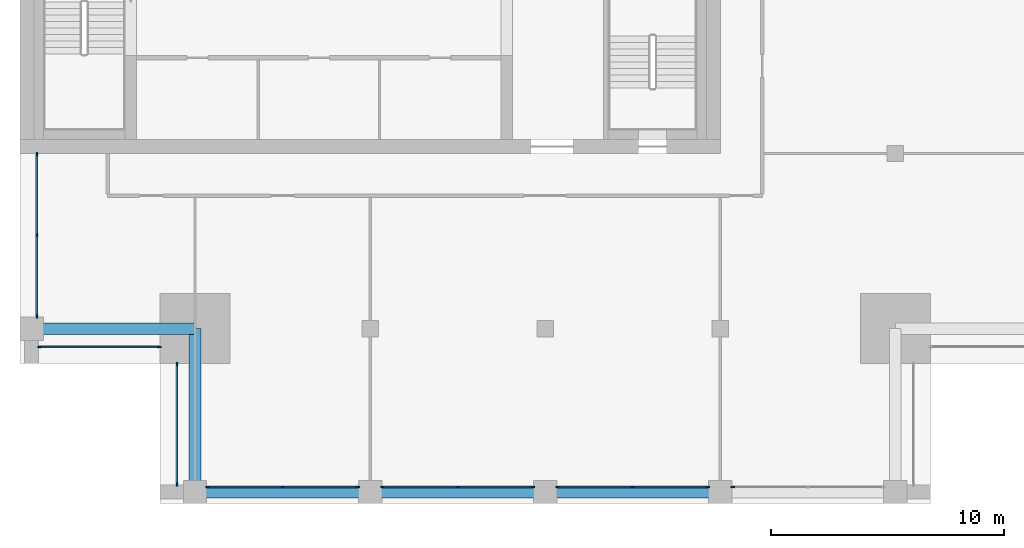
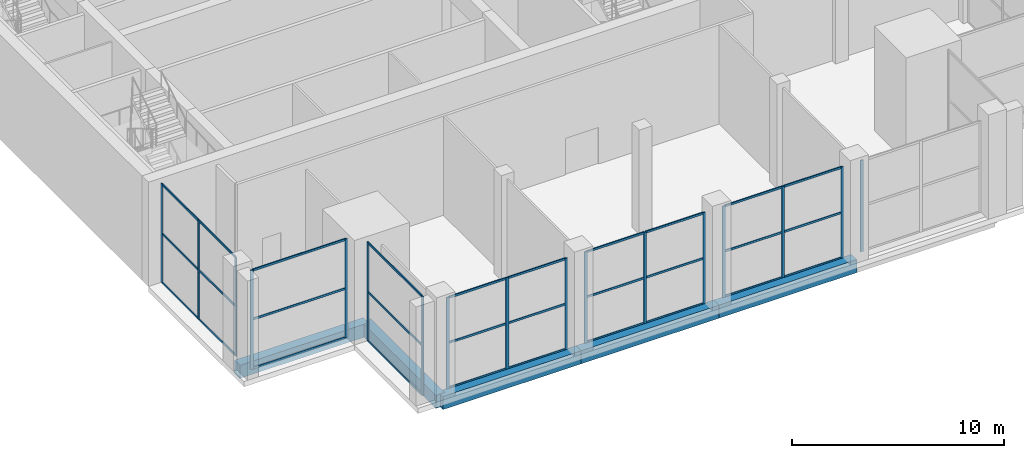
# One storey, part 2 of 15: 47 members, 5 beams, 7 elements without a shape of their own.
"""IFC4 building model written with IfcOpenShell, lengths in metres."""

import ifcopenshell
import ifcopenshell.guid

model = None  # the IFC model being written
_history = None  # IfcOwnerHistory: only IFC2X3 demands one
_inside = {}  # id of a spatial element -> (the spatial element, [elements in it])
_under = {}  # id of a project, library or spatial element -> (it, [spatial elements below it])
_declared = {}  # id of a project -> (the project, [libraries it declares])
_typed = {}  # id of a type object -> (the type object, [elements of that type])
_made_of = {}  # id of a material, layer set ... -> (it, [elements and type objects made of it])


def new_model(schema):
    """Start an empty IFC model of exactly this schema.

    Asked for "IFC4X3", IfcOpenShell would pick the latest addendum, in which some entities
    have other attributes; the version numbers below select the first issue.
    IFC2X3 requires an IfcOwnerHistory on every rooted entity: one is made here for all.
    """
    global model, _history
    if schema == "IFC4X3":
        model = ifcopenshell.file(schema_version=(4, 3, 0, 0))
    else:
        model = ifcopenshell.file(schema=schema)
    _inside.clear()
    _under.clear()
    _declared.clear()
    _typed.clear()
    _made_of.clear()
    _history = None
    if model.schema == "IFC2X3":
        org = make("IfcOrganization", Name="unknown")
        user = make(
            "IfcPersonAndOrganization",
            ThePerson=make("IfcPerson", FamilyName="unknown"),
            TheOrganization=org,
        )
        app = make(
            "IfcApplication",
            ApplicationDeveloper=org,
            Version="unknown",
            ApplicationFullName="unknown",
            ApplicationIdentifier="unknown",
        )
        _history = make(
            "IfcOwnerHistory",
            OwningUser=user,
            OwningApplication=app,
            ChangeAction="ADDED",
            CreationDate=0,
        )
    return model


def make(cls, **values):
    """One entity of the class cls with the attributes given. An attribute that is None is left unset."""
    return model.create_entity(
        cls, **{name: value for name, value in values.items() if value is not None}
    )


def rooted(cls, **values):
    """An entity with a GlobalId (a new one), such as an element, a storey or a relation."""
    return make(cls, GlobalId=ifcopenshell.guid.new(), OwnerHistory=_history, **values)


def si_unit(unit_type, name, prefix=None):
    """IfcSIUnit, for example si_unit("LENGTHUNIT", "METRE", prefix="MILLI")."""
    return make("IfcSIUnit", UnitType=unit_type, Prefix=prefix, Name=name)


def assignment(units):
    """IfcUnitAssignment: the units of a project."""
    return None if units is None else make("IfcUnitAssignment", Units=units)


def point(xyz):
    """IfcCartesianPoint."""
    return None if xyz is None else make("IfcCartesianPoint", Coordinates=xyz)


def direction(xyz):
    """IfcDirection."""
    return None if xyz is None else make("IfcDirection", DirectionRatios=xyz)


def frame(location, z_axis=None, x_axis=None):
    """IfcAxis2Placement3D, a coordinate frame: its origin and axes. An axis left out is left unset."""
    return make(
        "IfcAxis2Placement3D",
        Location=point(location),
        Axis=direction(z_axis),
        RefDirection=direction(x_axis),
    )


def frame_2d(location, x_axis=None):
    """IfcAxis2Placement2D, a coordinate frame in the plane: its origin and x axis."""
    return make(
        "IfcAxis2Placement2D", Location=point(location), RefDirection=direction(x_axis)
    )


def origin():
    """The frame at (0, 0, 0) with its axes left unset."""
    return frame((0.0, 0.0, 0.0))


def origin_2d():
    """The frame at (0, 0) in the plane with its x axis left unset."""
    return frame_2d((0.0, 0.0))


def place(relative_to, where):
    """IfcLocalPlacement: puts the frame where relative to a parent placement (None: the world)."""
    return make(
        "IfcLocalPlacement", PlacementRelTo=relative_to, RelativePlacement=where
    )


def context(
    kind, dimensions, precision=None, world=None, true_north=None, identifier=None
):
    """IfcGeometricRepresentationContext, for example the 3D "Model" context."""
    return make(
        "IfcGeometricRepresentationContext",
        ContextIdentifier=identifier,
        ContextType=kind,
        CoordinateSpaceDimension=dimensions,
        Precision=precision,
        WorldCoordinateSystem=world,
        TrueNorth=true_north,
    )


def subcontext(parent, identifier, kind, view, scale=None):
    """IfcGeometricRepresentationSubContext, for example "Body" below "Model"."""
    return make(
        "IfcGeometricRepresentationSubContext",
        ContextIdentifier=identifier,
        ContextType=kind,
        ParentContext=parent,
        TargetScale=scale,
        TargetView=view,
    )


def project(units=None, contexts=None):
    """IfcProject with its units and contexts."""
    return rooted(
        "IfcProject",
        Name="project",
        RepresentationContexts=contexts,
        UnitsInContext=assignment(units),
    )


def spatial(cls, under=None, at=None, **own):
    """A site, building, storey or space (cls), placed at a placement, below another one or the project."""
    s = rooted(cls, ObjectPlacement=at, **own)
    if under is not None:
        _under.setdefault(under.id(), (under, []))[1].append(s)
    return s


def profile(cls, at=None, kind="AREA", **sizes):
    """A parametric profile (cls). Its sizes go by their IFC names, for example OverallWidth=200.0."""
    return make(cls, ProfileType=kind, Position=at, **sizes)


def rectangle(**sizes):
    """IfcRectangleProfileDef."""
    return profile("IfcRectangleProfileDef", **sizes)


def extrude(swept, where, along, depth):
    """IfcExtrudedAreaSolid: the profile swept, set in the frame where, extruded along a direction by depth."""
    return make(
        "IfcExtrudedAreaSolid",
        SweptArea=swept,
        Position=where,
        ExtrudedDirection=direction(along),
        Depth=depth,
    )


def shape(context_of_items, identifier, shape_type, items):
    """IfcShapeRepresentation: the items that make up one representation, for example the "Body"."""
    return make(
        "IfcShapeRepresentation",
        ContextOfItems=context_of_items,
        RepresentationIdentifier=identifier,
        RepresentationType=shape_type,
        Items=items,
    )


def material(Name=None, Category=None):
    """IfcMaterial."""
    return make("IfcMaterial", Name=Name, Category=Category)


def layer(
    of_material, thickness, ventilated=None, Name=None, Category=None, Priority=None
):
    """IfcMaterialLayer: one layer of a wall or slab, of a material (None: an air gap)."""
    return make(
        "IfcMaterialLayer",
        Material=of_material,
        LayerThickness=thickness,
        IsVentilated=ventilated,
        Name=Name,
        Category=Category,
        Priority=Priority,
    )


def layer_set(layers, Name=None):
    """IfcMaterialLayerSet."""
    return make("IfcMaterialLayerSet", MaterialLayers=layers, LayerSetName=Name)


def material_profile(
    of_material, cross_section, Name=None, Category=None, Priority=None
):
    """IfcMaterialProfile: a cross section and its material."""
    return make(
        "IfcMaterialProfile",
        Name=Name,
        Material=of_material,
        Profile=cross_section,
        Priority=Priority,
        Category=Category,
    )


def profile_set(profiles, Name=None, composite=None):
    """IfcMaterialProfileSet."""
    return make(
        "IfcMaterialProfileSet",
        Name=Name,
        MaterialProfiles=profiles,
        CompositeProfile=composite,
    )


def made_of(thing, what):
    """Note that an element or type object is made of a material, layer set ...; save() writes the relation."""
    if what is not None:
        _made_of.setdefault(what.id(), (what, []))[1].append(thing)
    return thing


def type_object(cls, material=None, **own):
    """A type object (cls), such as IfcWallType, which elements share."""
    return made_of(rooted(cls, **own), material)


def element(
    cls,
    number,
    at=None,
    inside=None,
    cuts=None,
    type_object=None,
    material=None,
    context=None,
    identifier="Body",
    shape_type=None,
    held_by="IfcProductDefinitionShape",
    body=None,
    shapes=None,
    **own,
):
    """One element of the class cls, such as IfcWall. Its Tag is "e" and its number.

    at: its placement. inside: the storey or other place that contains it. cuts: it is an
    opening in that element (IfcRelVoidsElement). A single representation is given by context,
    identifier, shape_type and body (its items); several are given by shapes. held_by: the class
    of the entity that holds the representations. save() writes the other relations.
    """
    e = rooted(cls, Tag="e%d" % number, ObjectPlacement=at, **own)
    if body is not None:
        shapes = [shape(context, identifier, shape_type, body)]
    if shapes is not None:
        e.Representation = make(held_by, Representations=shapes)
    if inside is not None:
        _inside.setdefault(inside.id(), (inside, []))[1].append(e)
    if cuts is not None:
        rooted(
            "IfcRelVoidsElement", RelatingBuildingElement=cuts, RelatedOpeningElement=e
        )
    if type_object is not None:
        _typed.setdefault(type_object.id(), (type_object, []))[1].append(e)
    return made_of(e, material)


def aggregate(whole, parts):
    """IfcRelAggregates: a whole, such as a stair, and the parts it consists of."""
    return rooted("IfcRelAggregates", RelatingObject=whole, RelatedObjects=parts)


def save(model, path):
    """Write the relations noted so far, then the file.

    IfcRelAggregates (storeys below a building ...), IfcRelContainedInSpatialStructure (elements
    in a storey), IfcRelDefinesByType, IfcRelAssociatesMaterial and IfcRelDeclares: one each for
    every whole, place, type object, material and project.
    """
    for whole, parts in _under.values():
        aggregate(whole, parts)
    for where, things in _inside.values():
        rooted(
            "IfcRelContainedInSpatialStructure",
            RelatedElements=things,
            RelatingStructure=where,
        )
    for kind, things in _typed.values():
        rooted("IfcRelDefinesByType", RelatedObjects=things, RelatingType=kind)
    for what, things in _made_of.values():
        rooted("IfcRelAssociatesMaterial", RelatedObjects=things, RelatingMaterial=what)
    for by, libraries in _declared.values():
        rooted("IfcRelDeclares", RelatingContext=by, RelatedDefinitions=libraries)
    model.write(path)


model = new_model("IFC4")

# Units and contexts
model_context = context("Model", 3, precision=1e-05, world=origin(), true_north=direction((0.0, 1.0)))
body_context = subcontext(model_context, "Body", "Model", "MODEL_VIEW")
ifc_project = project(units=[si_unit("LENGTHUNIT", "METRE"), si_unit("AREAUNIT", "SQUARE_METRE"), si_unit("VOLUMEUNIT", "CUBIC_METRE"), si_unit("PLANEANGLEUNIT", "RADIAN"), si_unit("MASSUNIT", "GRAM", prefix="KILO")], contexts=[model_context])

# Site, building, storey
site_placement = place(None, origin())
site = spatial("IfcSite", under=ifc_project, at=site_placement, CompositionType="ELEMENT")
building_placement = place(site_placement, origin())
building = spatial("IfcBuilding", under=site, at=building_placement, Name="Tamorin Gate", CompositionType="ELEMENT")
storey_placement = place(building_placement, frame((0.0, 0.0, 302.699951171875)))
storey = spatial("IfcBuildingStorey", under=building, at=storey_placement, Name="L75", CompositionType="ELEMENT", Elevation=302.699951171875)

# Curtain wall, members
ifc_material_1 = material(Name="Aluminium mullions and transoms with clear glass", Category="aluminium")
ifc_layer = layer(ifc_material_1, 0.159912109375)
ifc_layer_set = layer_set([ifc_layer], Name="Curtain wall system CW4")
curtain_wall_type = type_object("IfcCurtainWallType", Name="Curtain wall system CW4", PredefinedType="NOTDEFINED", material=ifc_layer_set)
curtain_wall_1_placement = place(storey_placement, origin())
curtain_wall_1 = element("IfcCurtainWall", 1, at=curtain_wall_1_placement, inside=storey, type_object=curtain_wall_type, Name="Curtain wall", PredefinedType="NOTDEFINED")
ifc_material_2 = material(Name="Aluminium", Category="aluminium")
ifc_material_profile_1 = material_profile(ifc_material_2, rectangle(XDim=0.06005859375, YDim=0.159912109375, at=origin_2d()), Name="RECT 60x160")
ifc_profile_set_1 = profile_set([ifc_material_profile_1], Name="Aluminium")
member_type_1 = type_object("IfcMemberType", Name="Aluminium mullion 60x160", PredefinedType="MULLION", material=ifc_profile_set_1)
member_1_placement = place(storey_placement, frame((38.030029296875, 45.719970703125, 0.0), z_axis=(0.0, 0.0, 1.0), x_axis=(0.0, 1.0, 0.0)))
member_1 = element("IfcMember", 2, at=member_1_placement, type_object=member_type_1, Name="CW4 mullion 1", PredefinedType="MULLION", context=body_context, shape_type="SweptSolid", body=[
    extrude(rectangle(XDim=0.06005859375, YDim=0.159912109375, at=origin_2d()), origin(), (0.0, 0.0, 1.0), 5.25),
])
member_2_placement = place(storey_placement, frame((41.25, 45.719970703125, 0.0), z_axis=(0.0, 0.0, 1.0), x_axis=(0.0, 1.0, 0.0)))
member_2 = element("IfcMember", 3, at=member_2_placement, type_object=member_type_1, Name="CW4 mullion 2", PredefinedType="MULLION", context=body_context, shape_type="SweptSolid", body=[
    extrude(rectangle(XDim=0.06005859375, YDim=0.159912109375, at=origin_2d()), origin(), (0.0, 0.0, 1.0), 5.25),
])
member_3_placement = place(storey_placement, frame((44.469970703125, 45.719970703125, 0.0), z_axis=(0.0, 0.0, 1.0), x_axis=(0.0, 1.0, 0.0)))
member_3 = element("IfcMember", 4, at=member_3_placement, type_object=member_type_1, Name="CW4 mullion 3", PredefinedType="MULLION", context=body_context, shape_type="SweptSolid", body=[
    extrude(rectangle(XDim=0.06005859375, YDim=0.159912109375, at=origin_2d()), origin(), (0.0, 0.0, 1.0), 5.25),
])

curtain_wall_2_placement = place(storey_placement, origin())
curtain_wall_2 = element("IfcCurtainWall", 5, at=curtain_wall_2_placement, inside=storey, type_object=curtain_wall_type, Name="Curtain wall", PredefinedType="NOTDEFINED")
member_4_placement = place(storey_placement, frame((45.530029296875, 45.719970703125, 0.0), z_axis=(0.0, 0.0, 1.0), x_axis=(0.0, 1.0, 0.0)))
member_4 = element("IfcMember", 6, at=member_4_placement, type_object=member_type_1, Name="CW4 mullion 1", PredefinedType="MULLION", context=body_context, shape_type="SweptSolid", body=[
    extrude(rectangle(XDim=0.06005859375, YDim=0.159912109375, at=origin_2d()), origin(), (0.0, 0.0, 1.0), 5.25),
])
member_5_placement = place(storey_placement, frame((48.75, 45.719970703125, 0.0), z_axis=(0.0, 0.0, 1.0), x_axis=(0.0, 1.0, 0.0)))
member_5 = element("IfcMember", 7, at=member_5_placement, type_object=member_type_1, Name="CW4 mullion 2", PredefinedType="MULLION", context=body_context, shape_type="SweptSolid", body=[
    extrude(rectangle(XDim=0.06005859375, YDim=0.159912109375, at=origin_2d()), origin(), (0.0, 0.0, 1.0), 5.25),
])
member_6_placement = place(storey_placement, frame((51.969970703125, 45.719970703125, 0.0), z_axis=(0.0, 0.0, 1.0), x_axis=(0.0, 1.0, 0.0)))
member_6 = element("IfcMember", 8, at=member_6_placement, type_object=member_type_1, Name="CW4 mullion 3", PredefinedType="MULLION", context=body_context, shape_type="SweptSolid", body=[
    extrude(rectangle(XDim=0.06005859375, YDim=0.159912109375, at=origin_2d()), origin(), (0.0, 0.0, 1.0), 5.25),
])

curtain_wall_3_placement = place(storey_placement, origin())
curtain_wall_3 = element("IfcCurtainWall", 9, at=curtain_wall_3_placement, inside=storey, type_object=curtain_wall_type, Name="Curtain wall", PredefinedType="NOTDEFINED")
member_7_placement = place(storey_placement, frame((53.030029296875, 45.719970703125, 0.0), z_axis=(0.0, 0.0, 1.0), x_axis=(0.0, 1.0, 0.0)))
member_7 = element("IfcMember", 10, at=member_7_placement, type_object=member_type_1, Name="CW4 mullion 1", PredefinedType="MULLION", context=body_context, shape_type="SweptSolid", body=[
    extrude(rectangle(XDim=0.06005859375, YDim=0.159912109375, at=origin_2d()), origin(), (0.0, 0.0, 1.0), 5.25),
])
member_8_placement = place(storey_placement, frame((56.25, 45.719970703125, 0.0), z_axis=(0.0, 0.0, 1.0), x_axis=(0.0, 1.0, 0.0)))
member_8 = element("IfcMember", 11, at=member_8_placement, type_object=member_type_1, Name="CW4 mullion 2", PredefinedType="MULLION", context=body_context, shape_type="SweptSolid", body=[
    extrude(rectangle(XDim=0.06005859375, YDim=0.159912109375, at=origin_2d()), origin(), (0.0, 0.0, 1.0), 5.25),
])
member_9_placement = place(storey_placement, frame((59.469970703125, 45.719970703125, 0.0), z_axis=(0.0, 0.0, 1.0), x_axis=(0.0, 1.0, 0.0)))
member_9 = element("IfcMember", 12, at=member_9_placement, type_object=member_type_1, Name="CW4 mullion 3", PredefinedType="MULLION", context=body_context, shape_type="SweptSolid", body=[
    extrude(rectangle(XDim=0.06005859375, YDim=0.159912109375, at=origin_2d()), origin(), (0.0, 0.0, 1.0), 5.25),
])

# Curtain wall, member
curtain_wall_4_placement = place(storey_placement, origin())
curtain_wall_4 = element("IfcCurtainWall", 13, at=curtain_wall_4_placement, inside=storey, type_object=curtain_wall_type, Name="Curtain wall", PredefinedType="NOTDEFINED")
member_10_placement = place(storey_placement, frame((60.530029296875, 45.719970703125, 0.0), z_axis=(0.0, 0.0, 1.0), x_axis=(0.0, 1.0, 0.0)))
member_10 = element("IfcMember", 14, at=member_10_placement, type_object=member_type_1, Name="CW4 mullion 1", PredefinedType="MULLION", context=body_context, shape_type="SweptSolid", body=[
    extrude(rectangle(XDim=0.06005859375, YDim=0.159912109375, at=origin_2d()), origin(), (0.0, 0.0, 1.0), 5.25),
])
aggregate(curtain_wall_4, [member_10])

# Curtain wall, members
curtain_wall_5_placement = place(storey_placement, origin())
curtain_wall_5 = element("IfcCurtainWall", 15, at=curtain_wall_5_placement, inside=storey, type_object=curtain_wall_type, Name="Curtain wall", PredefinedType="NOTDEFINED")
member_11_placement = place(storey_placement, frame((30.719970703125, 59.969970703125, 0.0), z_axis=(0.0, 0.0, 1.0), x_axis=(1.0, 0.0, 0.0)))
member_11 = element("IfcMember", 16, at=member_11_placement, type_object=member_type_1, Name="CW4 mullion 1", PredefinedType="MULLION", context=body_context, shape_type="SweptSolid", body=[
    extrude(rectangle(XDim=0.06005859375, YDim=0.159912109375, at=origin_2d()), origin(), (0.0, 0.0, 1.0), 5.699951171875),
])
member_12_placement = place(storey_placement, frame((30.719970703125, 56.5, 0.0), z_axis=(0.0, 0.0, 1.0), x_axis=(1.0, 0.0, 0.0)))
member_12 = element("IfcMember", 17, at=member_12_placement, type_object=member_type_1, Name="CW4 mullion 2", PredefinedType="MULLION", context=body_context, shape_type="SweptSolid", body=[
    extrude(rectangle(XDim=0.06005859375, YDim=0.159912109375, at=origin_2d()), origin(), (0.0, 0.0, 1.0), 5.699951171875),
])
member_13_placement = place(storey_placement, frame((30.719970703125, 53.030029296875, 0.0), z_axis=(0.0, 0.0, 1.0), x_axis=(1.0, 0.0, 0.0)))
member_13 = element("IfcMember", 18, at=member_13_placement, type_object=member_type_1, Name="CW4 mullion 3", PredefinedType="MULLION", context=body_context, shape_type="SweptSolid", body=[
    extrude(rectangle(XDim=0.06005859375, YDim=0.159912109375, at=origin_2d()), origin(), (0.0, 0.0, 1.0), 5.699951171875),
])

curtain_wall_6_placement = place(storey_placement, origin())
curtain_wall_6 = element("IfcCurtainWall", 19, at=curtain_wall_6_placement, inside=storey, type_object=curtain_wall_type, Name="Curtain wall", PredefinedType="NOTDEFINED")
member_14_placement = place(storey_placement, frame((30.830078125, 51.719970703125, 0.0), z_axis=(0.0, 0.0, 1.0), x_axis=(0.0, 1.0, 0.0)))
member_14 = element("IfcMember", 20, at=member_14_placement, type_object=member_type_1, Name="CW4 mullion 1", PredefinedType="MULLION", context=body_context, shape_type="SweptSolid", body=[
    extrude(rectangle(XDim=0.06005859375, YDim=0.159912109375, at=origin_2d()), origin(), (0.0, 0.0, 1.0), 5.699951171875),
])
member_15_placement = place(storey_placement, frame((35.969970703125, 51.719970703125, 0.0), z_axis=(0.0, 0.0, 1.0), x_axis=(0.0, 1.0, 0.0)))
member_15 = element("IfcMember", 21, at=member_15_placement, type_object=member_type_1, Name="CW4 mullion 2", PredefinedType="MULLION", context=body_context, shape_type="SweptSolid", body=[
    extrude(rectangle(XDim=0.06005859375, YDim=0.159912109375, at=origin_2d()), origin(), (0.0, 0.0, 1.0), 5.699951171875),
])

curtain_wall_7_placement = place(storey_placement, origin())
curtain_wall_7 = element("IfcCurtainWall", 22, at=curtain_wall_7_placement, inside=storey, type_object=curtain_wall_type, Name="Curtain wall", PredefinedType="NOTDEFINED")
member_16_placement = place(storey_placement, frame((36.719970703125, 50.969970703125, 0.0), z_axis=(0.0, 0.0, 1.0), x_axis=(1.0, 0.0, 0.0)))
member_16 = element("IfcMember", 23, at=member_16_placement, type_object=member_type_1, Name="CW4 mullion 1", PredefinedType="MULLION", context=body_context, shape_type="SweptSolid", body=[
    extrude(rectangle(XDim=0.06005859375, YDim=0.159912109375, at=origin_2d()), origin(), (0.0, 0.0, 1.0), 5.699951171875),
])
member_17_placement = place(storey_placement, frame((36.719970703125, 45.830078125, 0.0), z_axis=(0.0, 0.0, 1.0), x_axis=(1.0, 0.0, 0.0)))
member_17 = element("IfcMember", 24, at=member_17_placement, type_object=member_type_1, Name="CW4 mullion 2", PredefinedType="MULLION", context=body_context, shape_type="SweptSolid", body=[
    extrude(rectangle(XDim=0.06005859375, YDim=0.159912109375, at=origin_2d()), origin(), (0.0, 0.0, 1.0), 5.699951171875),
])

# Member
ifc_material_profile_2 = material_profile(ifc_material_2, rectangle(XDim=0.06005859375, YDim=0.1201171875, at=origin_2d()), Name="RECT 60x120")
ifc_profile_set_2 = profile_set([ifc_material_profile_2], Name="Aluminium")
member_type_2 = type_object("IfcMemberType", Name="Aluminium transom 60x120", PredefinedType="USERDEFINED", material=ifc_profile_set_2)
member_18_placement = place(storey_placement, frame((38.06005859375, 45.719970703125, 0.030029296875), z_axis=(1.0, 0.0, 0.0), x_axis=(0.0, 1.0, 0.0)))
member_18 = element("IfcMember", 25, at=member_18_placement, type_object=member_type_2, Name="CW4 transom 1.1", ObjectType="TRANSOM", PredefinedType="USERDEFINED", context=body_context, shape_type="SweptSolid", body=[
    extrude(rectangle(XDim=0.06005859375, YDim=0.1201171875, at=origin_2d()), origin(), (0.0, 0.0, 1.0), 3.159912109375),
])

member_19_placement = place(storey_placement, frame((38.06005859375, 45.719970703125, 2.625), z_axis=(1.0, 0.0, 0.0), x_axis=(0.0, 1.0, 0.0)))
member_19 = element("IfcMember", 26, at=member_19_placement, type_object=member_type_2, Name="CW4 transom 1.2", ObjectType="TRANSOM", PredefinedType="USERDEFINED", context=body_context, shape_type="SweptSolid", body=[
    extrude(rectangle(XDim=0.06005859375, YDim=0.1201171875, at=origin_2d()), origin(), (0.0, 0.0, 1.0), 3.159912109375),
])

member_20_placement = place(storey_placement, frame((38.06005859375, 45.719970703125, 5.219970703125), z_axis=(1.0, 0.0, 0.0), x_axis=(0.0, 1.0, 0.0)))
member_20 = element("IfcMember", 27, at=member_20_placement, type_object=member_type_2, Name="CW4 transom 1.3", ObjectType="TRANSOM", PredefinedType="USERDEFINED", context=body_context, shape_type="SweptSolid", body=[
    extrude(rectangle(XDim=0.06005859375, YDim=0.1201171875, at=origin_2d()), origin(), (0.0, 0.0, 1.0), 3.159912109375),
])

member_21_placement = place(storey_placement, frame((41.280029296875, 45.719970703125, 0.030029296875), z_axis=(1.0, 0.0, 0.0), x_axis=(0.0, 1.0, 0.0)))
member_21 = element("IfcMember", 28, at=member_21_placement, type_object=member_type_2, Name="CW4 transom 2.1", ObjectType="TRANSOM", PredefinedType="USERDEFINED", context=body_context, shape_type="SweptSolid", body=[
    extrude(rectangle(XDim=0.06005859375, YDim=0.1201171875, at=origin_2d()), origin(), (0.0, 0.0, 1.0), 3.159912109375),
])

member_22_placement = place(storey_placement, frame((41.280029296875, 45.719970703125, 2.625), z_axis=(1.0, 0.0, 0.0), x_axis=(0.0, 1.0, 0.0)))
member_22 = element("IfcMember", 29, at=member_22_placement, type_object=member_type_2, Name="CW4 transom 2.2", ObjectType="TRANSOM", PredefinedType="USERDEFINED", context=body_context, shape_type="SweptSolid", body=[
    extrude(rectangle(XDim=0.06005859375, YDim=0.1201171875, at=origin_2d()), origin(), (0.0, 0.0, 1.0), 3.159912109375),
])

member_23_placement = place(storey_placement, frame((41.280029296875, 45.719970703125, 5.219970703125), z_axis=(1.0, 0.0, 0.0), x_axis=(0.0, 1.0, 0.0)))
member_23 = element("IfcMember", 30, at=member_23_placement, type_object=member_type_2, Name="CW4 transom 2.3", ObjectType="TRANSOM", PredefinedType="USERDEFINED", context=body_context, shape_type="SweptSolid", body=[
    extrude(rectangle(XDim=0.06005859375, YDim=0.1201171875, at=origin_2d()), origin(), (0.0, 0.0, 1.0), 3.159912109375),
])

aggregate(curtain_wall_1, [member_1, member_2, member_3, member_18, member_19, member_20, member_21, member_22, member_23])

member_24_placement = place(storey_placement, frame((45.56005859375, 45.719970703125, 0.030029296875), z_axis=(1.0, 0.0, 0.0), x_axis=(0.0, 1.0, 0.0)))
member_24 = element("IfcMember", 31, at=member_24_placement, type_object=member_type_2, Name="CW4 transom 1.1", ObjectType="TRANSOM", PredefinedType="USERDEFINED", context=body_context, shape_type="SweptSolid", body=[
    extrude(rectangle(XDim=0.06005859375, YDim=0.1201171875, at=origin_2d()), origin(), (0.0, 0.0, 1.0), 3.159912109375),
])

member_25_placement = place(storey_placement, frame((45.56005859375, 45.719970703125, 2.625), z_axis=(1.0, 0.0, 0.0), x_axis=(0.0, 1.0, 0.0)))
member_25 = element("IfcMember", 32, at=member_25_placement, type_object=member_type_2, Name="CW4 transom 1.2", ObjectType="TRANSOM", PredefinedType="USERDEFINED", context=body_context, shape_type="SweptSolid", body=[
    extrude(rectangle(XDim=0.06005859375, YDim=0.1201171875, at=origin_2d()), origin(), (0.0, 0.0, 1.0), 3.159912109375),
])

member_26_placement = place(storey_placement, frame((45.56005859375, 45.719970703125, 5.219970703125), z_axis=(1.0, 0.0, 0.0), x_axis=(0.0, 1.0, 0.0)))
member_26 = element("IfcMember", 33, at=member_26_placement, type_object=member_type_2, Name="CW4 transom 1.3", ObjectType="TRANSOM", PredefinedType="USERDEFINED", context=body_context, shape_type="SweptSolid", body=[
    extrude(rectangle(XDim=0.06005859375, YDim=0.1201171875, at=origin_2d()), origin(), (0.0, 0.0, 1.0), 3.159912109375),
])

member_27_placement = place(storey_placement, frame((48.780029296875, 45.719970703125, 0.030029296875), z_axis=(1.0, 0.0, 0.0), x_axis=(0.0, 1.0, 0.0)))
member_27 = element("IfcMember", 34, at=member_27_placement, type_object=member_type_2, Name="CW4 transom 2.1", ObjectType="TRANSOM", PredefinedType="USERDEFINED", context=body_context, shape_type="SweptSolid", body=[
    extrude(rectangle(XDim=0.06005859375, YDim=0.1201171875, at=origin_2d()), origin(), (0.0, 0.0, 1.0), 3.159912109375),
])

member_28_placement = place(storey_placement, frame((48.780029296875, 45.719970703125, 2.625), z_axis=(1.0, 0.0, 0.0), x_axis=(0.0, 1.0, 0.0)))
member_28 = element("IfcMember", 35, at=member_28_placement, type_object=member_type_2, Name="CW4 transom 2.2", ObjectType="TRANSOM", PredefinedType="USERDEFINED", context=body_context, shape_type="SweptSolid", body=[
    extrude(rectangle(XDim=0.06005859375, YDim=0.1201171875, at=origin_2d()), origin(), (0.0, 0.0, 1.0), 3.159912109375),
])

member_29_placement = place(storey_placement, frame((48.780029296875, 45.719970703125, 5.219970703125), z_axis=(1.0, 0.0, 0.0), x_axis=(0.0, 1.0, 0.0)))
member_29 = element("IfcMember", 36, at=member_29_placement, type_object=member_type_2, Name="CW4 transom 2.3", ObjectType="TRANSOM", PredefinedType="USERDEFINED", context=body_context, shape_type="SweptSolid", body=[
    extrude(rectangle(XDim=0.06005859375, YDim=0.1201171875, at=origin_2d()), origin(), (0.0, 0.0, 1.0), 3.159912109375),
])

aggregate(curtain_wall_2, [member_4, member_5, member_6, member_24, member_25, member_26, member_27, member_28, member_29])

member_30_placement = place(storey_placement, frame((53.06005859375, 45.719970703125, 0.030029296875), z_axis=(1.0, 0.0, 0.0), x_axis=(0.0, 1.0, 0.0)))
member_30 = element("IfcMember", 37, at=member_30_placement, type_object=member_type_2, Name="CW4 transom 1.1", ObjectType="TRANSOM", PredefinedType="USERDEFINED", context=body_context, shape_type="SweptSolid", body=[
    extrude(rectangle(XDim=0.06005859375, YDim=0.1201171875, at=origin_2d()), origin(), (0.0, 0.0, 1.0), 3.159912109375),
])

member_31_placement = place(storey_placement, frame((53.06005859375, 45.719970703125, 2.625), z_axis=(1.0, 0.0, 0.0), x_axis=(0.0, 1.0, 0.0)))
member_31 = element("IfcMember", 38, at=member_31_placement, type_object=member_type_2, Name="CW4 transom 1.2", ObjectType="TRANSOM", PredefinedType="USERDEFINED", context=body_context, shape_type="SweptSolid", body=[
    extrude(rectangle(XDim=0.06005859375, YDim=0.1201171875, at=origin_2d()), origin(), (0.0, 0.0, 1.0), 3.159912109375),
])

member_32_placement = place(storey_placement, frame((53.06005859375, 45.719970703125, 5.219970703125), z_axis=(1.0, 0.0, 0.0), x_axis=(0.0, 1.0, 0.0)))
member_32 = element("IfcMember", 39, at=member_32_placement, type_object=member_type_2, Name="CW4 transom 1.3", ObjectType="TRANSOM", PredefinedType="USERDEFINED", context=body_context, shape_type="SweptSolid", body=[
    extrude(rectangle(XDim=0.06005859375, YDim=0.1201171875, at=origin_2d()), origin(), (0.0, 0.0, 1.0), 3.159912109375),
])

member_33_placement = place(storey_placement, frame((56.280029296875, 45.719970703125, 0.030029296875), z_axis=(1.0, 0.0, 0.0), x_axis=(0.0, 1.0, 0.0)))
member_33 = element("IfcMember", 40, at=member_33_placement, type_object=member_type_2, Name="CW4 transom 2.1", ObjectType="TRANSOM", PredefinedType="USERDEFINED", context=body_context, shape_type="SweptSolid", body=[
    extrude(rectangle(XDim=0.06005859375, YDim=0.1201171875, at=origin_2d()), origin(), (0.0, 0.0, 1.0), 3.159912109375),
])

member_34_placement = place(storey_placement, frame((56.280029296875, 45.719970703125, 2.625), z_axis=(1.0, 0.0, 0.0), x_axis=(0.0, 1.0, 0.0)))
member_34 = element("IfcMember", 41, at=member_34_placement, type_object=member_type_2, Name="CW4 transom 2.2", ObjectType="TRANSOM", PredefinedType="USERDEFINED", context=body_context, shape_type="SweptSolid", body=[
    extrude(rectangle(XDim=0.06005859375, YDim=0.1201171875, at=origin_2d()), origin(), (0.0, 0.0, 1.0), 3.159912109375),
])

member_35_placement = place(storey_placement, frame((56.280029296875, 45.719970703125, 5.219970703125), z_axis=(1.0, 0.0, 0.0), x_axis=(0.0, 1.0, 0.0)))
member_35 = element("IfcMember", 42, at=member_35_placement, type_object=member_type_2, Name="CW4 transom 2.3", ObjectType="TRANSOM", PredefinedType="USERDEFINED", context=body_context, shape_type="SweptSolid", body=[
    extrude(rectangle(XDim=0.06005859375, YDim=0.1201171875, at=origin_2d()), origin(), (0.0, 0.0, 1.0), 3.159912109375),
])

aggregate(curtain_wall_3, [member_7, member_8, member_9, member_30, member_31, member_32, member_33, member_34, member_35])

member_36_placement = place(storey_placement, frame((30.719970703125, 59.93994140625, 0.030029296875), z_axis=(0.0, -1.0, 0.0), x_axis=(1.0, 0.0, 0.0)))
member_36 = element("IfcMember", 43, at=member_36_placement, type_object=member_type_2, Name="CW4 transom 1.1", ObjectType="TRANSOM", PredefinedType="USERDEFINED", context=body_context, shape_type="SweptSolid", body=[
    extrude(rectangle(XDim=0.06005859375, YDim=0.1201171875, at=origin_2d()), origin(), (0.0, 0.0, 1.0), 3.409912109375),
])

member_37_placement = place(storey_placement, frame((30.719970703125, 59.93994140625, 2.85009765625), z_axis=(0.0, -1.0, 0.0), x_axis=(1.0, 0.0, 0.0)))
member_37 = element("IfcMember", 44, at=member_37_placement, type_object=member_type_2, Name="CW4 transom 1.2", ObjectType="TRANSOM", PredefinedType="USERDEFINED", context=body_context, shape_type="SweptSolid", body=[
    extrude(rectangle(XDim=0.06005859375, YDim=0.1201171875, at=origin_2d()), origin(), (0.0, 0.0, 1.0), 3.409912109375),
])

member_38_placement = place(storey_placement, frame((30.719970703125, 59.93994140625, 5.670166015625), z_axis=(0.0, -1.0, 0.0), x_axis=(1.0, 0.0, 0.0)))
member_38 = element("IfcMember", 45, at=member_38_placement, type_object=member_type_2, Name="CW4 transom 1.3", ObjectType="TRANSOM", PredefinedType="USERDEFINED", context=body_context, shape_type="SweptSolid", body=[
    extrude(rectangle(XDim=0.06005859375, YDim=0.1201171875, at=origin_2d()), origin(), (0.0, 0.0, 1.0), 3.409912109375),
])

member_39_placement = place(storey_placement, frame((30.719970703125, 56.469970703125, 0.030029296875), z_axis=(0.0, -1.0, 0.0), x_axis=(1.0, 0.0, 0.0)))
member_39 = element("IfcMember", 46, at=member_39_placement, type_object=member_type_2, Name="CW4 transom 2.1", ObjectType="TRANSOM", PredefinedType="USERDEFINED", context=body_context, shape_type="SweptSolid", body=[
    extrude(rectangle(XDim=0.06005859375, YDim=0.1201171875, at=origin_2d()), origin(), (0.0, 0.0, 1.0), 3.409912109375),
])

member_40_placement = place(storey_placement, frame((30.719970703125, 56.469970703125, 2.85009765625), z_axis=(0.0, -1.0, 0.0), x_axis=(1.0, 0.0, 0.0)))
member_40 = element("IfcMember", 47, at=member_40_placement, type_object=member_type_2, Name="CW4 transom 2.2", ObjectType="TRANSOM", PredefinedType="USERDEFINED", context=body_context, shape_type="SweptSolid", body=[
    extrude(rectangle(XDim=0.06005859375, YDim=0.1201171875, at=origin_2d()), origin(), (0.0, 0.0, 1.0), 3.409912109375),
])

member_41_placement = place(storey_placement, frame((30.719970703125, 56.469970703125, 5.670166015625), z_axis=(0.0, -1.0, 0.0), x_axis=(1.0, 0.0, 0.0)))
member_41 = element("IfcMember", 48, at=member_41_placement, type_object=member_type_2, Name="CW4 transom 2.3", ObjectType="TRANSOM", PredefinedType="USERDEFINED", context=body_context, shape_type="SweptSolid", body=[
    extrude(rectangle(XDim=0.06005859375, YDim=0.1201171875, at=origin_2d()), origin(), (0.0, 0.0, 1.0), 3.409912109375),
])

aggregate(curtain_wall_5, [member_11, member_12, member_13, member_36, member_37, member_38, member_39, member_40, member_41])

member_42_placement = place(storey_placement, frame((30.860107421875, 51.719970703125, 0.030029296875), z_axis=(1.0, 0.0, 0.0), x_axis=(0.0, 1.0, 0.0)))
member_42 = element("IfcMember", 49, at=member_42_placement, type_object=member_type_2, Name="CW4 transom 1.1", ObjectType="TRANSOM", PredefinedType="USERDEFINED", context=body_context, shape_type="SweptSolid", body=[
    extrude(rectangle(XDim=0.06005859375, YDim=0.1201171875, at=origin_2d()), origin(), (0.0, 0.0, 1.0), 5.079833984375),
])

member_43_placement = place(storey_placement, frame((30.860107421875, 51.719970703125, 2.85009765625), z_axis=(1.0, 0.0, 0.0), x_axis=(0.0, 1.0, 0.0)))
member_43 = element("IfcMember", 50, at=member_43_placement, type_object=member_type_2, Name="CW4 transom 1.2", ObjectType="TRANSOM", PredefinedType="USERDEFINED", context=body_context, shape_type="SweptSolid", body=[
    extrude(rectangle(XDim=0.06005859375, YDim=0.1201171875, at=origin_2d()), origin(), (0.0, 0.0, 1.0), 5.079833984375),
])

member_44_placement = place(storey_placement, frame((30.860107421875, 51.719970703125, 5.670166015625), z_axis=(1.0, 0.0, 0.0), x_axis=(0.0, 1.0, 0.0)))
member_44 = element("IfcMember", 51, at=member_44_placement, type_object=member_type_2, Name="CW4 transom 1.3", ObjectType="TRANSOM", PredefinedType="USERDEFINED", context=body_context, shape_type="SweptSolid", body=[
    extrude(rectangle(XDim=0.06005859375, YDim=0.1201171875, at=origin_2d()), origin(), (0.0, 0.0, 1.0), 5.079833984375),
])

aggregate(curtain_wall_6, [member_14, member_15, member_42, member_43, member_44])

member_45_placement = place(storey_placement, frame((36.719970703125, 50.93994140625, 0.030029296875), z_axis=(0.0, -1.0, 0.0), x_axis=(1.0, 0.0, 0.0)))
member_45 = element("IfcMember", 52, at=member_45_placement, type_object=member_type_2, Name="CW4 transom 1.1", ObjectType="TRANSOM", PredefinedType="USERDEFINED", context=body_context, shape_type="SweptSolid", body=[
    extrude(rectangle(XDim=0.06005859375, YDim=0.1201171875, at=origin_2d()), origin(), (0.0, 0.0, 1.0), 5.079833984375),
])

member_46_placement = place(storey_placement, frame((36.719970703125, 50.93994140625, 2.85009765625), z_axis=(0.0, -1.0, 0.0), x_axis=(1.0, 0.0, 0.0)))
member_46 = element("IfcMember", 53, at=member_46_placement, type_object=member_type_2, Name="CW4 transom 1.2", ObjectType="TRANSOM", PredefinedType="USERDEFINED", context=body_context, shape_type="SweptSolid", body=[
    extrude(rectangle(XDim=0.06005859375, YDim=0.1201171875, at=origin_2d()), origin(), (0.0, 0.0, 1.0), 5.079833984375),
])

member_47_placement = place(storey_placement, frame((36.719970703125, 50.93994140625, 5.670166015625), z_axis=(0.0, -1.0, 0.0), x_axis=(1.0, 0.0, 0.0)))
member_47 = element("IfcMember", 54, at=member_47_placement, type_object=member_type_2, Name="CW4 transom 1.3", ObjectType="TRANSOM", PredefinedType="USERDEFINED", context=body_context, shape_type="SweptSolid", body=[
    extrude(rectangle(XDim=0.06005859375, YDim=0.1201171875, at=origin_2d()), origin(), (0.0, 0.0, 1.0), 5.079833984375),
])

aggregate(curtain_wall_7, [member_16, member_17, member_45, member_46, member_47])

# Beams
ifc_material_3 = material(Name="Concrete C50/60", Category="concrete")
ifc_material_profile_3 = material_profile(ifc_material_3, rectangle(XDim=0.5, YDim=0.75, at=origin_2d()), Name="RC 500x750")
ifc_profile_set_3 = profile_set([ifc_material_profile_3], Name="Concrete C50/60")
beam_type = type_object("IfcBeamType", Name="RC spandrel 500x750 C50/60", PredefinedType="BEAM", material=ifc_profile_set_3)
for number, where, z_axis, x_axis, name in (
    (55, (37.5, 45.5, -0.375), (1.0, 0.0, 0.0), (0.0, 1.0, 0.0), "Spandrel beam L75"),
    (56, (45.0, 45.5, -0.375), (1.0, 0.0, 0.0), (0.0, 1.0, 0.0), "Spandrel beam L75"),
    (57, (52.5, 45.5, -0.375), (1.0, 0.0, 0.0), (0.0, 1.0, 0.0), "Spandrel beam L75"),
):
    element("IfcBeam", number, at=place(storey_placement, frame(where, z_axis=z_axis, x_axis=x_axis)), inside=storey, type_object=beam_type, Name=name, PredefinedType="BEAM", context=body_context, shape_type="SweptSolid", body=[
        extrude(rectangle(XDim=0.5, YDim=0.75, at=origin_2d()), origin(), (0.0, 0.0, 1.0), 7.5),
    ])
for number, where, z_axis, x_axis, name in (
    (58, (37.5, 52.5, -0.375), (-1.0, 0.0, 0.0), (0.0, -1.0, 0.0), "Corner tie beam L75"),
    (59, (37.5, 52.5, -0.375), (0.0, -1.0, 0.0), (1.0, 0.0, 0.0), "Corner tie beam L75"),
):
    element("IfcBeam", number, at=place(storey_placement, frame(where, z_axis=z_axis, x_axis=x_axis)), inside=storey, type_object=beam_type, Name=name, PredefinedType="BEAM", context=body_context, shape_type="SweptSolid", body=[
        extrude(rectangle(XDim=0.5, YDim=0.75, at=origin_2d()), origin(), (0.0, 0.0, 1.0), 7.0),
    ])

save(model, "model.ifc")
